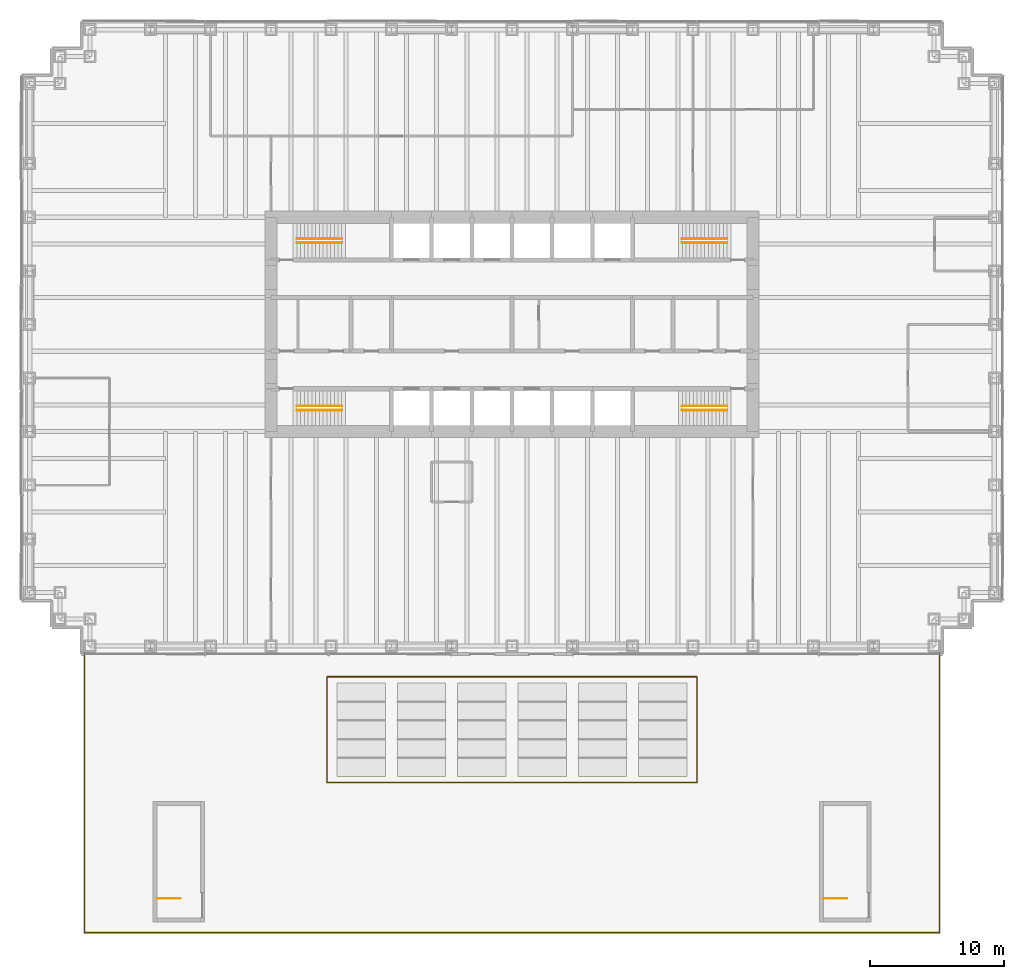
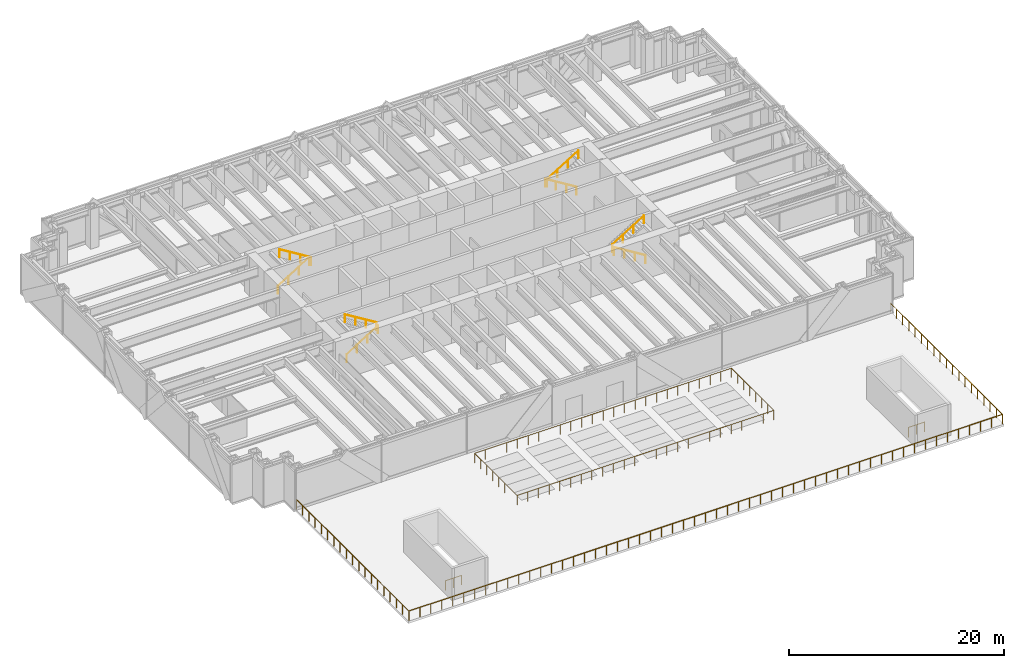
# One storey, part 15 of 15: 12 railings.
"""IFC4 building model written with IfcOpenShell, lengths in metres."""

from ifc_helpers import new_model, si_unit, direction, frame, origin, origin_2d, place, context, subcontext, project, spatial, circle, extrude, material, type_object, element, save


model = new_model("IFC4")

# Units and contexts
model_context = context("Model", 3, precision=1e-05, world=origin(), true_north=direction((0.0, 1.0)))
body_context = subcontext(model_context, "Body", "Model", "MODEL_VIEW")
ifc_project = project(units=[si_unit("LENGTHUNIT", "METRE"), si_unit("AREAUNIT", "SQUARE_METRE"), si_unit("VOLUMEUNIT", "CUBIC_METRE"), si_unit("PLANEANGLEUNIT", "RADIAN"), si_unit("MASSUNIT", "GRAM", prefix="KILO")], contexts=[model_context])

# Site, building, storey
site_placement = place(None, origin())
site = spatial("IfcSite", under=ifc_project, at=site_placement, CompositionType="ELEMENT")
building_placement = place(site_placement, origin())
building = spatial("IfcBuilding", under=site, at=building_placement, Name="Rheinbord Bourse Tower", CompositionType="ELEMENT")
storey_placement = place(building_placement, frame((0.0, 0.0, 23.0)))
storey = spatial("IfcBuildingStorey", under=building, at=storey_placement, Name="L04", CompositionType="ELEMENT", Elevation=23.0)

# Railings
ifc_material_1 = material(Name="Steel and glass guard", Category="steel")
railing_type_1 = type_object("IfcRailingType", Name="GUARD 1100", PredefinedType="GUARDRAIL", material=ifc_material_1)
for number, where, name in (
    (1, (9.5, -18.85009765625, 0.0), "Stair well guard ST5 L04"),
    (2, (59.25, -18.85009765625, 0.0), "Stair well guard ST6 L04"),
):
    element("IfcRailing", number, at=place(storey_placement, frame(where)), inside=storey, type_object=railing_type_1, Name=name, PredefinedType="GUARDRAIL", context=body_context, shape_type="SweptSolid", body=[
        extrude(circle(Radius=0.02392578125, at=origin_2d()), frame((0.0, 0.0, 1.076171875), z_axis=(1.0, 0.0, 0.0), x_axis=(0.0, 1.0, 0.0)), (0.0, 0.0, 1.0), 1.75),
        extrude(circle(Radius=0.02099609375, at=origin_2d()), origin(), (0.0, 0.0, 1.0), 1.052001953125),
        extrude(circle(Radius=0.02099609375, at=origin_2d()), frame((0.875, 0.0, 0.0)), (0.0, 0.0, 1.0), 1.052001953125),
        extrude(circle(Radius=0.02099609375, at=origin_2d()), frame((1.75, 0.0, 0.0)), (0.0, 0.0, 1.0), 1.052001953125),
    ])
ifc_material_2 = material(Name="Steel handrail", Category="steel")
railing_type_2 = type_object("IfcRailingType", Name="HANDRAIL 900", PredefinedType="HANDRAIL", material=ifc_material_2)
railing_1_placement = place(storey_placement, frame((19.949951171875, 17.60009765625, 0.173095703125)))
element("IfcRailing", 3, at=railing_1_placement, inside=storey, type_object=railing_type_2, Name="Handrail", PredefinedType="HANDRAIL", context=body_context, shape_type="SweptSolid", body=[
    extrude(circle(Radius=0.02392578125, at=origin_2d()), frame((0.0, 0.0, 0.8759765625), z_axis=(0.850623216509, 0.0, 0.525775754039), x_axis=(0.0, 1.0, 0.0)), (0.0, 0.0, 1.0), 3.9501953125),
    extrude(circle(Radius=0.02099609375, at=origin_2d()), origin(), (0.0, 0.0, 1.0), 0.851806640625),
    extrude(circle(Radius=0.02099609375, at=origin_2d()), frame((1.1201171875, 0.0, 0.6923828125)), (0.0, 0.0, 1.0), 0.851806640625),
    extrude(circle(Radius=0.02099609375, at=origin_2d()), frame((2.239990234375, 0.0, 1.384521484375)), (0.0, 0.0, 1.0), 0.851806640625),
    extrude(circle(Radius=0.02099609375, at=origin_2d()), frame((3.360107421875, 0.0, 2.076904296875)), (0.0, 0.0, 1.0), 0.851806640625),
])
railing_2_placement = place(storey_placement, frame((23.31005859375, 17.89990234375, 2.423095703125)))
element("IfcRailing", 4, at=railing_2_placement, inside=storey, type_object=railing_type_2, Name="Handrail", PredefinedType="HANDRAIL", context=body_context, shape_type="SweptSolid", body=[
    extrude(circle(Radius=0.02392578125, at=origin_2d()), frame((0.0, 0.0, 0.8759765625), z_axis=(-0.850623216509, 0.0, 0.525775754039), x_axis=(0.0, -1.0, 0.0)), (0.0, 0.0, 1.0), 3.9501953125),
    extrude(circle(Radius=0.02099609375, at=origin_2d()), origin(), (0.0, 0.0, 1.0), 0.851806640625),
    extrude(circle(Radius=0.02099609375, at=origin_2d()), frame((-1.1201171875, 0.0, 0.6923828125)), (0.0, 0.0, 1.0), 0.851806640625),
    extrude(circle(Radius=0.02099609375, at=origin_2d()), frame((-2.239990234375, 0.0, 1.384521484375)), (0.0, 0.0, 1.0), 0.851806640625),
    extrude(circle(Radius=0.02099609375, at=origin_2d()), frame((-3.360107421875, 0.0, 2.076904296875)), (0.0, 0.0, 1.0), 0.851806640625),
])
railing_3_placement = place(storey_placement, frame((19.949951171875, 30.39990234375, 0.173095703125)))
element("IfcRailing", 5, at=railing_3_placement, inside=storey, type_object=railing_type_2, Name="Handrail", PredefinedType="HANDRAIL", context=body_context, shape_type="SweptSolid", body=[
    extrude(circle(Radius=0.02392578125, at=origin_2d()), frame((0.0, 0.0, 0.8759765625), z_axis=(0.850623216509, 0.0, 0.525775754039), x_axis=(0.0, 1.0, 0.0)), (0.0, 0.0, 1.0), 3.9501953125),
    extrude(circle(Radius=0.02099609375, at=origin_2d()), origin(), (0.0, 0.0, 1.0), 0.851806640625),
    extrude(circle(Radius=0.02099609375, at=origin_2d()), frame((1.1201171875, 0.0, 0.6923828125)), (0.0, 0.0, 1.0), 0.851806640625),
    extrude(circle(Radius=0.02099609375, at=origin_2d()), frame((2.239990234375, 0.0, 1.384521484375)), (0.0, 0.0, 1.0), 0.851806640625),
    extrude(circle(Radius=0.02099609375, at=origin_2d()), frame((3.360107421875, 0.0, 2.076904296875)), (0.0, 0.0, 1.0), 0.851806640625),
])
for number, where, name in (
    (6, (23.31005859375, 30.10009765625, 2.423095703125), "Handrail"),
    (7, (52.050048828125, 17.60009765625, 0.173095703125), "Handrail"),
):
    element("IfcRailing", number, at=place(storey_placement, frame(where)), inside=storey, type_object=railing_type_2, Name=name, PredefinedType="HANDRAIL", context=body_context, shape_type="SweptSolid", body=[
        extrude(circle(Radius=0.02392578125, at=origin_2d()), frame((0.0, 0.0, 0.8759765625), z_axis=(-0.850623216509, 0.0, 0.525775754039), x_axis=(0.0, -1.0, 0.0)), (0.0, 0.0, 1.0), 3.9501953125),
        extrude(circle(Radius=0.02099609375, at=origin_2d()), origin(), (0.0, 0.0, 1.0), 0.851806640625),
        extrude(circle(Radius=0.02099609375, at=origin_2d()), frame((-1.1201171875, 0.0, 0.6923828125)), (0.0, 0.0, 1.0), 0.851806640625),
        extrude(circle(Radius=0.02099609375, at=origin_2d()), frame((-2.239990234375, 0.0, 1.384521484375)), (0.0, 0.0, 1.0), 0.851806640625),
        extrude(circle(Radius=0.02099609375, at=origin_2d()), frame((-3.360107421875, 0.0, 2.076904296875)), (0.0, 0.0, 1.0), 0.851806640625),
    ])
railing_4_placement = place(storey_placement, frame((48.68994140625, 17.89990234375, 2.423095703125)))
element("IfcRailing", 8, at=railing_4_placement, inside=storey, type_object=railing_type_2, Name="Handrail", PredefinedType="HANDRAIL", context=body_context, shape_type="SweptSolid", body=[
    extrude(circle(Radius=0.02392578125, at=origin_2d()), frame((0.0, 0.0, 0.8759765625), z_axis=(0.850623216509, 0.0, 0.525775754039), x_axis=(0.0, 1.0, 0.0)), (0.0, 0.0, 1.0), 3.9501953125),
    extrude(circle(Radius=0.02099609375, at=origin_2d()), origin(), (0.0, 0.0, 1.0), 0.851806640625),
    extrude(circle(Radius=0.02099609375, at=origin_2d()), frame((1.1201171875, 0.0, 0.6923828125)), (0.0, 0.0, 1.0), 0.851806640625),
    extrude(circle(Radius=0.02099609375, at=origin_2d()), frame((2.239990234375, 0.0, 1.384521484375)), (0.0, 0.0, 1.0), 0.851806640625),
    extrude(circle(Radius=0.02099609375, at=origin_2d()), frame((3.360107421875, 0.0, 2.076904296875)), (0.0, 0.0, 1.0), 0.851806640625),
])
railing_5_placement = place(storey_placement, frame((52.050048828125, 30.39990234375, 0.173095703125)))
element("IfcRailing", 9, at=railing_5_placement, inside=storey, type_object=railing_type_2, Name="Handrail", PredefinedType="HANDRAIL", context=body_context, shape_type="SweptSolid", body=[
    extrude(circle(Radius=0.02392578125, at=origin_2d()), frame((0.0, 0.0, 0.8759765625), z_axis=(-0.850623216509, 0.0, 0.525775754039), x_axis=(0.0, -1.0, 0.0)), (0.0, 0.0, 1.0), 3.9501953125),
    extrude(circle(Radius=0.02099609375, at=origin_2d()), origin(), (0.0, 0.0, 1.0), 0.851806640625),
    extrude(circle(Radius=0.02099609375, at=origin_2d()), frame((-1.1201171875, 0.0, 0.6923828125)), (0.0, 0.0, 1.0), 0.851806640625),
    extrude(circle(Radius=0.02099609375, at=origin_2d()), frame((-2.239990234375, 0.0, 1.384521484375)), (0.0, 0.0, 1.0), 0.851806640625),
    extrude(circle(Radius=0.02099609375, at=origin_2d()), frame((-3.360107421875, 0.0, 2.076904296875)), (0.0, 0.0, 1.0), 0.851806640625),
])
railing_6_placement = place(storey_placement, frame((48.68994140625, 30.10009765625, 2.423095703125)))
element("IfcRailing", 10, at=railing_6_placement, inside=storey, type_object=railing_type_2, Name="Handrail", PredefinedType="HANDRAIL", context=body_context, shape_type="SweptSolid", body=[
    extrude(circle(Radius=0.02392578125, at=origin_2d()), frame((0.0, 0.0, 0.8759765625), z_axis=(0.850623216509, 0.0, 0.525775754039), x_axis=(0.0, 1.0, 0.0)), (0.0, 0.0, 1.0), 3.9501953125),
    extrude(circle(Radius=0.02099609375, at=origin_2d()), origin(), (0.0, 0.0, 1.0), 0.851806640625),
    extrude(circle(Radius=0.02099609375, at=origin_2d()), frame((1.1201171875, 0.0, 0.6923828125)), (0.0, 0.0, 1.0), 0.851806640625),
    extrude(circle(Radius=0.02099609375, at=origin_2d()), frame((2.239990234375, 0.0, 1.384521484375)), (0.0, 0.0, 1.0), 0.851806640625),
    extrude(circle(Radius=0.02099609375, at=origin_2d()), frame((3.360107421875, 0.0, 2.076904296875)), (0.0, 0.0, 1.0), 0.851806640625),
])
ifc_material_3 = material(Name="Black steel guard", Category="steel")
railing_type_3 = type_object("IfcRailingType", Name="ROOF GUARD 1100", PredefinedType="GUARDRAIL", material=ifc_material_3)
railing_7_placement = place(storey_placement, frame((4.10009765625, -0.5, 0.0)))
element("IfcRailing", 11, at=railing_7_placement, inside=storey, type_object=railing_type_3, Name="Terrace guard", PredefinedType="GUARDRAIL", context=body_context, shape_type="SweptSolid", body=[
    extrude(circle(Radius=0.02392578125, at=origin_2d()), frame((0.0, 0.0, 1.076171875), z_axis=(0.0, -1.0, 0.0), x_axis=(1.0, 0.0, 0.0)), (0.0, 0.0, 1.0), 20.89990234375),
    extrude(circle(Radius=0.02392578125, at=origin_2d()), frame((0.0, -20.89990234375, 1.076171875), z_axis=(1.0, 0.0, 0.0), x_axis=(0.0, 1.0, 0.0)), (0.0, 0.0, 1.0), 63.7998046875),
    extrude(circle(Radius=0.02392578125, at=origin_2d()), frame((63.7998046875, -20.89990234375, 1.076171875), z_axis=(0.0, 1.0, 0.0), x_axis=(-1.0, 0.0, 0.0)), (0.0, 0.0, 1.0), 20.89990234375),
    extrude(circle(Radius=0.02099609375, at=origin_2d()), origin(), (0.0, 0.0, 1.0), 1.052001953125),
    extrude(circle(Radius=0.02099609375, at=origin_2d()), frame((0.0, -1.1611328125, 0.0)), (0.0, 0.0, 1.0), 1.052001953125),
    extrude(circle(Radius=0.02099609375, at=origin_2d()), frame((0.0, -2.322265625, 0.0)), (0.0, 0.0, 1.0), 1.052001953125),
    extrude(circle(Radius=0.02099609375, at=origin_2d()), frame((0.0, -3.4833984375, 0.0)), (0.0, 0.0, 1.0), 1.052001953125),
    extrude(circle(Radius=0.02099609375, at=origin_2d()), frame((0.0, -4.64453125, 0.0)), (0.0, 0.0, 1.0), 1.052001953125),
    extrude(circle(Radius=0.02099609375, at=origin_2d()), frame((0.0, -5.805419921875, 0.0)), (0.0, 0.0, 1.0), 1.052001953125),
    extrude(circle(Radius=0.02099609375, at=origin_2d()), frame((0.0, -6.966552734375, 0.0)), (0.0, 0.0, 1.0), 1.052001953125),
    extrude(circle(Radius=0.02099609375, at=origin_2d()), frame((0.0, -8.127685546875, 0.0)), (0.0, 0.0, 1.0), 1.052001953125),
    extrude(circle(Radius=0.02099609375, at=origin_2d()), frame((0.0, -9.288818359375, 0.0)), (0.0, 0.0, 1.0), 1.052001953125),
    extrude(circle(Radius=0.02099609375, at=origin_2d()), frame((0.0, -10.449951171875, 0.0)), (0.0, 0.0, 1.0), 1.052001953125),
    extrude(circle(Radius=0.02099609375, at=origin_2d()), frame((0.0, -11.611083984375, 0.0)), (0.0, 0.0, 1.0), 1.052001953125),
    extrude(circle(Radius=0.02099609375, at=origin_2d()), frame((0.0, -12.772216796875, 0.0)), (0.0, 0.0, 1.0), 1.052001953125),
    extrude(circle(Radius=0.02099609375, at=origin_2d()), frame((0.0, -13.933349609375, 0.0)), (0.0, 0.0, 1.0), 1.052001953125),
    extrude(circle(Radius=0.02099609375, at=origin_2d()), frame((0.0, -15.094482421875, 0.0)), (0.0, 0.0, 1.0), 1.052001953125),
    extrude(circle(Radius=0.02099609375, at=origin_2d()), frame((0.0, -16.25537109375, 0.0)), (0.0, 0.0, 1.0), 1.052001953125),
    extrude(circle(Radius=0.02099609375, at=origin_2d()), frame((0.0, -17.41650390625, 0.0)), (0.0, 0.0, 1.0), 1.052001953125),
    extrude(circle(Radius=0.02099609375, at=origin_2d()), frame((0.0, -18.57763671875, 0.0)), (0.0, 0.0, 1.0), 1.052001953125),
    extrude(circle(Radius=0.02099609375, at=origin_2d()), frame((0.0, -19.73876953125, 0.0)), (0.0, 0.0, 1.0), 1.052001953125),
    extrude(circle(Radius=0.02099609375, at=origin_2d()), frame((0.0, -20.89990234375, 0.0)), (0.0, 0.0, 1.0), 1.052001953125),
    extrude(circle(Radius=0.02099609375, at=origin_2d()), frame((1.181396484375, -20.89990234375, 0.0)), (0.0, 0.0, 1.0), 1.052001953125),
    extrude(circle(Radius=0.02099609375, at=origin_2d()), frame((2.363037109375, -20.89990234375, 0.0)), (0.0, 0.0, 1.0), 1.052001953125),
    extrude(circle(Radius=0.02099609375, at=origin_2d()), frame((3.54443359375, -20.89990234375, 0.0)), (0.0, 0.0, 1.0), 1.052001953125),
    extrude(circle(Radius=0.02099609375, at=origin_2d()), frame((4.725830078125, -20.89990234375, 0.0)), (0.0, 0.0, 1.0), 1.052001953125),
    extrude(circle(Radius=0.02099609375, at=origin_2d()), frame((5.907470703125, -20.89990234375, 0.0)), (0.0, 0.0, 1.0), 1.052001953125),
    extrude(circle(Radius=0.02099609375, at=origin_2d()), frame((7.0888671875, -20.89990234375, 0.0)), (0.0, 0.0, 1.0), 1.052001953125),
    extrude(circle(Radius=0.02099609375, at=origin_2d()), frame((8.270263671875, -20.89990234375, 0.0)), (0.0, 0.0, 1.0), 1.052001953125),
    extrude(circle(Radius=0.02099609375, at=origin_2d()), frame((9.451904296875, -20.89990234375, 0.0)), (0.0, 0.0, 1.0), 1.052001953125),
    extrude(circle(Radius=0.02099609375, at=origin_2d()), frame((10.63330078125, -20.89990234375, 0.0)), (0.0, 0.0, 1.0), 1.052001953125),
    extrude(circle(Radius=0.02099609375, at=origin_2d()), frame((11.814697265625, -20.89990234375, 0.0)), (0.0, 0.0, 1.0), 1.052001953125),
    extrude(circle(Radius=0.02099609375, at=origin_2d()), frame((12.996337890625, -20.89990234375, 0.0)), (0.0, 0.0, 1.0), 1.052001953125),
    extrude(circle(Radius=0.02099609375, at=origin_2d()), frame((14.177734375, -20.89990234375, 0.0)), (0.0, 0.0, 1.0), 1.052001953125),
    extrude(circle(Radius=0.02099609375, at=origin_2d()), frame((15.359130859375, -20.89990234375, 0.0)), (0.0, 0.0, 1.0), 1.052001953125),
    extrude(circle(Radius=0.02099609375, at=origin_2d()), frame((16.540771484375, -20.89990234375, 0.0)), (0.0, 0.0, 1.0), 1.052001953125),
    extrude(circle(Radius=0.02099609375, at=origin_2d()), frame((17.72216796875, -20.89990234375, 0.0)), (0.0, 0.0, 1.0), 1.052001953125),
    extrude(circle(Radius=0.02099609375, at=origin_2d()), frame((18.903564453125, -20.89990234375, 0.0)), (0.0, 0.0, 1.0), 1.052001953125),
    extrude(circle(Radius=0.02099609375, at=origin_2d()), frame((20.085205078125, -20.89990234375, 0.0)), (0.0, 0.0, 1.0), 1.052001953125),
    extrude(circle(Radius=0.02099609375, at=origin_2d()), frame((21.2666015625, -20.89990234375, 0.0)), (0.0, 0.0, 1.0), 1.052001953125),
    extrude(circle(Radius=0.02099609375, at=origin_2d()), frame((22.447998046875, -20.89990234375, 0.0)), (0.0, 0.0, 1.0), 1.052001953125),
    extrude(circle(Radius=0.02099609375, at=origin_2d()), frame((23.629638671875, -20.89990234375, 0.0)), (0.0, 0.0, 1.0), 1.052001953125),
    extrude(circle(Radius=0.02099609375, at=origin_2d()), frame((24.81103515625, -20.89990234375, 0.0)), (0.0, 0.0, 1.0), 1.052001953125),
    extrude(circle(Radius=0.02099609375, at=origin_2d()), frame((25.992431640625, -20.89990234375, 0.0)), (0.0, 0.0, 1.0), 1.052001953125),
    extrude(circle(Radius=0.02099609375, at=origin_2d()), frame((27.174072265625, -20.89990234375, 0.0)), (0.0, 0.0, 1.0), 1.052001953125),
    extrude(circle(Radius=0.02099609375, at=origin_2d()), frame((28.35546875, -20.89990234375, 0.0)), (0.0, 0.0, 1.0), 1.052001953125),
    extrude(circle(Radius=0.02099609375, at=origin_2d()), frame((29.536865234375, -20.89990234375, 0.0)), (0.0, 0.0, 1.0), 1.052001953125),
    extrude(circle(Radius=0.02099609375, at=origin_2d()), frame((30.718505859375, -20.89990234375, 0.0)), (0.0, 0.0, 1.0), 1.052001953125),
    extrude(circle(Radius=0.02099609375, at=origin_2d()), frame((31.89990234375, -20.89990234375, 0.0)), (0.0, 0.0, 1.0), 1.052001953125),
    extrude(circle(Radius=0.02099609375, at=origin_2d()), frame((33.081298828125, -20.89990234375, 0.0)), (0.0, 0.0, 1.0), 1.052001953125),
    extrude(circle(Radius=0.02099609375, at=origin_2d()), frame((34.262939453125, -20.89990234375, 0.0)), (0.0, 0.0, 1.0), 1.052001953125),
    extrude(circle(Radius=0.02099609375, at=origin_2d()), frame((35.4443359375, -20.89990234375, 0.0)), (0.0, 0.0, 1.0), 1.052001953125),
    extrude(circle(Radius=0.02099609375, at=origin_2d()), frame((36.625732421875, -20.89990234375, 0.0)), (0.0, 0.0, 1.0), 1.052001953125),
    extrude(circle(Radius=0.02099609375, at=origin_2d()), frame((37.807373046875, -20.89990234375, 0.0)), (0.0, 0.0, 1.0), 1.052001953125),
    extrude(circle(Radius=0.02099609375, at=origin_2d()), frame((38.98876953125, -20.89990234375, 0.0)), (0.0, 0.0, 1.0), 1.052001953125),
    extrude(circle(Radius=0.02099609375, at=origin_2d()), frame((40.170166015625, -20.89990234375, 0.0)), (0.0, 0.0, 1.0), 1.052001953125),
    extrude(circle(Radius=0.02099609375, at=origin_2d()), frame((41.351806640625, -20.89990234375, 0.0)), (0.0, 0.0, 1.0), 1.052001953125),
    extrude(circle(Radius=0.02099609375, at=origin_2d()), frame((42.533203125, -20.89990234375, 0.0)), (0.0, 0.0, 1.0), 1.052001953125),
    extrude(circle(Radius=0.02099609375, at=origin_2d()), frame((43.714599609375, -20.89990234375, 0.0)), (0.0, 0.0, 1.0), 1.052001953125),
    extrude(circle(Radius=0.02099609375, at=origin_2d()), frame((44.896240234375, -20.89990234375, 0.0)), (0.0, 0.0, 1.0), 1.052001953125),
    extrude(circle(Radius=0.02099609375, at=origin_2d()), frame((46.07763671875, -20.89990234375, 0.0)), (0.0, 0.0, 1.0), 1.052001953125),
    extrude(circle(Radius=0.02099609375, at=origin_2d()), frame((47.259033203125, -20.89990234375, 0.0)), (0.0, 0.0, 1.0), 1.052001953125),
    extrude(circle(Radius=0.02099609375, at=origin_2d()), frame((48.440673828125, -20.89990234375, 0.0)), (0.0, 0.0, 1.0), 1.052001953125),
    extrude(circle(Radius=0.02099609375, at=origin_2d()), frame((49.6220703125, -20.89990234375, 0.0)), (0.0, 0.0, 1.0), 1.052001953125),
    extrude(circle(Radius=0.02099609375, at=origin_2d()), frame((50.803466796875, -20.89990234375, 0.0)), (0.0, 0.0, 1.0), 1.052001953125),
    extrude(circle(Radius=0.02099609375, at=origin_2d()), frame((51.985107421875, -20.89990234375, 0.0)), (0.0, 0.0, 1.0), 1.052001953125),
    extrude(circle(Radius=0.02099609375, at=origin_2d()), frame((53.16650390625, -20.89990234375, 0.0)), (0.0, 0.0, 1.0), 1.052001953125),
    extrude(circle(Radius=0.02099609375, at=origin_2d()), frame((54.347900390625, -20.89990234375, 0.0)), (0.0, 0.0, 1.0), 1.052001953125),
    extrude(circle(Radius=0.02099609375, at=origin_2d()), frame((55.529541015625, -20.89990234375, 0.0)), (0.0, 0.0, 1.0), 1.052001953125),
    extrude(circle(Radius=0.02099609375, at=origin_2d()), frame((56.7109375, -20.89990234375, 0.0)), (0.0, 0.0, 1.0), 1.052001953125),
    extrude(circle(Radius=0.02099609375, at=origin_2d()), frame((57.892333984375, -20.89990234375, 0.0)), (0.0, 0.0, 1.0), 1.052001953125),
    extrude(circle(Radius=0.02099609375, at=origin_2d()), frame((59.073974609375, -20.89990234375, 0.0)), (0.0, 0.0, 1.0), 1.052001953125),
    extrude(circle(Radius=0.02099609375, at=origin_2d()), frame((60.25537109375, -20.89990234375, 0.0)), (0.0, 0.0, 1.0), 1.052001953125),
    extrude(circle(Radius=0.02099609375, at=origin_2d()), frame((61.436767578125, -20.89990234375, 0.0)), (0.0, 0.0, 1.0), 1.052001953125),
    extrude(circle(Radius=0.02099609375, at=origin_2d()), frame((62.618408203125, -20.89990234375, 0.0)), (0.0, 0.0, 1.0), 1.052001953125),
    extrude(circle(Radius=0.02099609375, at=origin_2d()), frame((63.7998046875, -20.89990234375, 0.0)), (0.0, 0.0, 1.0), 1.052001953125),
    extrude(circle(Radius=0.02099609375, at=origin_2d()), frame((63.7998046875, -19.73876953125, 0.0)), (0.0, 0.0, 1.0), 1.052001953125),
    extrude(circle(Radius=0.02099609375, at=origin_2d()), frame((63.7998046875, -18.57763671875, 0.0)), (0.0, 0.0, 1.0), 1.052001953125),
    extrude(circle(Radius=0.02099609375, at=origin_2d()), frame((63.7998046875, -17.41650390625, 0.0)), (0.0, 0.0, 1.0), 1.052001953125),
    extrude(circle(Radius=0.02099609375, at=origin_2d()), frame((63.7998046875, -16.25537109375, 0.0)), (0.0, 0.0, 1.0), 1.052001953125),
    extrude(circle(Radius=0.02099609375, at=origin_2d()), frame((63.7998046875, -15.094482421875, 0.0)), (0.0, 0.0, 1.0), 1.052001953125),
    extrude(circle(Radius=0.02099609375, at=origin_2d()), frame((63.7998046875, -13.933349609375, 0.0)), (0.0, 0.0, 1.0), 1.052001953125),
    extrude(circle(Radius=0.02099609375, at=origin_2d()), frame((63.7998046875, -12.772216796875, 0.0)), (0.0, 0.0, 1.0), 1.052001953125),
    extrude(circle(Radius=0.02099609375, at=origin_2d()), frame((63.7998046875, -11.611083984375, 0.0)), (0.0, 0.0, 1.0), 1.052001953125),
    extrude(circle(Radius=0.02099609375, at=origin_2d()), frame((63.7998046875, -10.449951171875, 0.0)), (0.0, 0.0, 1.0), 1.052001953125),
    extrude(circle(Radius=0.02099609375, at=origin_2d()), frame((63.7998046875, -9.288818359375, 0.0)), (0.0, 0.0, 1.0), 1.052001953125),
    extrude(circle(Radius=0.02099609375, at=origin_2d()), frame((63.7998046875, -8.127685546875, 0.0)), (0.0, 0.0, 1.0), 1.052001953125),
    extrude(circle(Radius=0.02099609375, at=origin_2d()), frame((63.7998046875, -6.966552734375, 0.0)), (0.0, 0.0, 1.0), 1.052001953125),
    extrude(circle(Radius=0.02099609375, at=origin_2d()), frame((63.7998046875, -5.805419921875, 0.0)), (0.0, 0.0, 1.0), 1.052001953125),
    extrude(circle(Radius=0.02099609375, at=origin_2d()), frame((63.7998046875, -4.64453125, 0.0)), (0.0, 0.0, 1.0), 1.052001953125),
    extrude(circle(Radius=0.02099609375, at=origin_2d()), frame((63.7998046875, -3.4833984375, 0.0)), (0.0, 0.0, 1.0), 1.052001953125),
    extrude(circle(Radius=0.02099609375, at=origin_2d()), frame((63.7998046875, -2.322265625, 0.0)), (0.0, 0.0, 1.0), 1.052001953125),
    extrude(circle(Radius=0.02099609375, at=origin_2d()), frame((63.7998046875, -1.1611328125, 0.0)), (0.0, 0.0, 1.0), 1.052001953125),
    extrude(circle(Radius=0.02099609375, at=origin_2d()), frame((63.7998046875, 0.0, 0.0)), (0.0, 0.0, 1.0), 1.052001953125),
])
railing_8_placement = place(storey_placement, frame((22.199951171875, -2.300048828125, 0.0)))
element("IfcRailing", 12, at=railing_8_placement, inside=storey, type_object=railing_type_3, Name="Skylight guard", PredefinedType="GUARDRAIL", context=body_context, shape_type="SweptSolid", body=[
    extrude(circle(Radius=0.02392578125, at=origin_2d()), frame((0.0, 0.0, 1.076171875), z_axis=(0.0, -1.0, 0.0), x_axis=(1.0, 0.0, 0.0)), (0.0, 0.0, 1.0), 7.89990234375),
    extrude(circle(Radius=0.02392578125, at=origin_2d()), frame((0.0, -7.89990234375, 1.076171875), z_axis=(1.0, 0.0, 0.0), x_axis=(0.0, 1.0, 0.0)), (0.0, 0.0, 1.0), 27.60009765625),
    extrude(circle(Radius=0.02392578125, at=origin_2d()), frame((27.60009765625, -7.89990234375, 1.076171875), z_axis=(0.0, 1.0, 0.0), x_axis=(-1.0, 0.0, 0.0)), (0.0, 0.0, 1.0), 7.89990234375),
    extrude(circle(Radius=0.02392578125, at=origin_2d()), frame((27.60009765625, 0.0, 1.076171875), z_axis=(-1.0, 0.0, 0.0), x_axis=(0.0, -1.0, 0.0)), (0.0, 0.0, 1.0), 27.60009765625),
    extrude(circle(Radius=0.02099609375, at=origin_2d()), origin(), (0.0, 0.0, 1.0), 1.052001953125),
    extrude(circle(Radius=0.02099609375, at=origin_2d()), frame((0.0, -1.128662109375, 0.0)), (0.0, 0.0, 1.0), 1.052001953125),
    extrude(circle(Radius=0.02099609375, at=origin_2d()), frame((0.0, -2.257080078125, 0.0)), (0.0, 0.0, 1.0), 1.052001953125),
    extrude(circle(Radius=0.02099609375, at=origin_2d()), frame((0.0, -3.3857421875, 0.0)), (0.0, 0.0, 1.0), 1.052001953125),
    extrude(circle(Radius=0.02099609375, at=origin_2d()), frame((0.0, -4.51416015625, 0.0)), (0.0, 0.0, 1.0), 1.052001953125),
    extrude(circle(Radius=0.02099609375, at=origin_2d()), frame((0.0, -5.642822265625, 0.0)), (0.0, 0.0, 1.0), 1.052001953125),
    extrude(circle(Radius=0.02099609375, at=origin_2d()), frame((0.0, -6.771240234375, 0.0)), (0.0, 0.0, 1.0), 1.052001953125),
    extrude(circle(Radius=0.02099609375, at=origin_2d()), frame((0.0, -7.89990234375, 0.0)), (0.0, 0.0, 1.0), 1.052001953125),
    extrude(circle(Radius=0.02099609375, at=origin_2d()), frame((1.14990234375, -7.89990234375, 0.0)), (0.0, 0.0, 1.0), 1.052001953125),
    extrude(circle(Radius=0.02099609375, at=origin_2d()), frame((2.300048828125, -7.89990234375, 0.0)), (0.0, 0.0, 1.0), 1.052001953125),
    extrude(circle(Radius=0.02099609375, at=origin_2d()), frame((3.449951171875, -7.89990234375, 0.0)), (0.0, 0.0, 1.0), 1.052001953125),
    extrude(circle(Radius=0.02099609375, at=origin_2d()), frame((4.60009765625, -7.89990234375, 0.0)), (0.0, 0.0, 1.0), 1.052001953125),
    extrude(circle(Radius=0.02099609375, at=origin_2d()), frame((5.75, -7.89990234375, 0.0)), (0.0, 0.0, 1.0), 1.052001953125),
    extrude(circle(Radius=0.02099609375, at=origin_2d()), frame((6.89990234375, -7.89990234375, 0.0)), (0.0, 0.0, 1.0), 1.052001953125),
    extrude(circle(Radius=0.02099609375, at=origin_2d()), frame((8.050048828125, -7.89990234375, 0.0)), (0.0, 0.0, 1.0), 1.052001953125),
    extrude(circle(Radius=0.02099609375, at=origin_2d()), frame((9.199951171875, -7.89990234375, 0.0)), (0.0, 0.0, 1.0), 1.052001953125),
    extrude(circle(Radius=0.02099609375, at=origin_2d()), frame((10.35009765625, -7.89990234375, 0.0)), (0.0, 0.0, 1.0), 1.052001953125),
    extrude(circle(Radius=0.02099609375, at=origin_2d()), frame((11.5, -7.89990234375, 0.0)), (0.0, 0.0, 1.0), 1.052001953125),
    extrude(circle(Radius=0.02099609375, at=origin_2d()), frame((12.650146484375, -7.89990234375, 0.0)), (0.0, 0.0, 1.0), 1.052001953125),
    extrude(circle(Radius=0.02099609375, at=origin_2d()), frame((13.800048828125, -7.89990234375, 0.0)), (0.0, 0.0, 1.0), 1.052001953125),
    extrude(circle(Radius=0.02099609375, at=origin_2d()), frame((14.949951171875, -7.89990234375, 0.0)), (0.0, 0.0, 1.0), 1.052001953125),
    extrude(circle(Radius=0.02099609375, at=origin_2d()), frame((16.10009765625, -7.89990234375, 0.0)), (0.0, 0.0, 1.0), 1.052001953125),
    extrude(circle(Radius=0.02099609375, at=origin_2d()), frame((17.25, -7.89990234375, 0.0)), (0.0, 0.0, 1.0), 1.052001953125),
    extrude(circle(Radius=0.02099609375, at=origin_2d()), frame((18.400146484375, -7.89990234375, 0.0)), (0.0, 0.0, 1.0), 1.052001953125),
    extrude(circle(Radius=0.02099609375, at=origin_2d()), frame((19.550048828125, -7.89990234375, 0.0)), (0.0, 0.0, 1.0), 1.052001953125),
    extrude(circle(Radius=0.02099609375, at=origin_2d()), frame((20.7001953125, -7.89990234375, 0.0)), (0.0, 0.0, 1.0), 1.052001953125),
    extrude(circle(Radius=0.02099609375, at=origin_2d()), frame((21.85009765625, -7.89990234375, 0.0)), (0.0, 0.0, 1.0), 1.052001953125),
    extrude(circle(Radius=0.02099609375, at=origin_2d()), frame((23.0, -7.89990234375, 0.0)), (0.0, 0.0, 1.0), 1.052001953125),
    extrude(circle(Radius=0.02099609375, at=origin_2d()), frame((24.150146484375, -7.89990234375, 0.0)), (0.0, 0.0, 1.0), 1.052001953125),
    extrude(circle(Radius=0.02099609375, at=origin_2d()), frame((25.300048828125, -7.89990234375, 0.0)), (0.0, 0.0, 1.0), 1.052001953125),
    extrude(circle(Radius=0.02099609375, at=origin_2d()), frame((26.4501953125, -7.89990234375, 0.0)), (0.0, 0.0, 1.0), 1.052001953125),
    extrude(circle(Radius=0.02099609375, at=origin_2d()), frame((27.60009765625, -7.89990234375, 0.0)), (0.0, 0.0, 1.0), 1.052001953125),
    extrude(circle(Radius=0.02099609375, at=origin_2d()), frame((27.60009765625, -6.771240234375, 0.0)), (0.0, 0.0, 1.0), 1.052001953125),
    extrude(circle(Radius=0.02099609375, at=origin_2d()), frame((27.60009765625, -5.642822265625, 0.0)), (0.0, 0.0, 1.0), 1.052001953125),
    extrude(circle(Radius=0.02099609375, at=origin_2d()), frame((27.60009765625, -4.51416015625, 0.0)), (0.0, 0.0, 1.0), 1.052001953125),
    extrude(circle(Radius=0.02099609375, at=origin_2d()), frame((27.60009765625, -3.3857421875, 0.0)), (0.0, 0.0, 1.0), 1.052001953125),
    extrude(circle(Radius=0.02099609375, at=origin_2d()), frame((27.60009765625, -2.257080078125, 0.0)), (0.0, 0.0, 1.0), 1.052001953125),
    extrude(circle(Radius=0.02099609375, at=origin_2d()), frame((27.60009765625, -1.128662109375, 0.0)), (0.0, 0.0, 1.0), 1.052001953125),
    extrude(circle(Radius=0.02099609375, at=origin_2d()), frame((27.60009765625, 0.0, 0.0)), (0.0, 0.0, 1.0), 1.052001953125),
    extrude(circle(Radius=0.02099609375, at=origin_2d()), frame((26.4501953125, 0.0, 0.0)), (0.0, 0.0, 1.0), 1.052001953125),
    extrude(circle(Radius=0.02099609375, at=origin_2d()), frame((25.300048828125, 0.0, 0.0)), (0.0, 0.0, 1.0), 1.052001953125),
    extrude(circle(Radius=0.02099609375, at=origin_2d()), frame((24.150146484375, 0.0, 0.0)), (0.0, 0.0, 1.0), 1.052001953125),
    extrude(circle(Radius=0.02099609375, at=origin_2d()), frame((23.0, 0.0, 0.0)), (0.0, 0.0, 1.0), 1.052001953125),
    extrude(circle(Radius=0.02099609375, at=origin_2d()), frame((21.85009765625, 0.0, 0.0)), (0.0, 0.0, 1.0), 1.052001953125),
    extrude(circle(Radius=0.02099609375, at=origin_2d()), frame((20.7001953125, 0.0, 0.0)), (0.0, 0.0, 1.0), 1.052001953125),
    extrude(circle(Radius=0.02099609375, at=origin_2d()), frame((19.550048828125, 0.0, 0.0)), (0.0, 0.0, 1.0), 1.052001953125),
    extrude(circle(Radius=0.02099609375, at=origin_2d()), frame((18.400146484375, 0.0, 0.0)), (0.0, 0.0, 1.0), 1.052001953125),
    extrude(circle(Radius=0.02099609375, at=origin_2d()), frame((17.25, 0.0, 0.0)), (0.0, 0.0, 1.0), 1.052001953125),
    extrude(circle(Radius=0.02099609375, at=origin_2d()), frame((16.10009765625, 0.0, 0.0)), (0.0, 0.0, 1.0), 1.052001953125),
    extrude(circle(Radius=0.02099609375, at=origin_2d()), frame((14.949951171875, 0.0, 0.0)), (0.0, 0.0, 1.0), 1.052001953125),
    extrude(circle(Radius=0.02099609375, at=origin_2d()), frame((13.800048828125, 0.0, 0.0)), (0.0, 0.0, 1.0), 1.052001953125),
    extrude(circle(Radius=0.02099609375, at=origin_2d()), frame((12.650146484375, 0.0, 0.0)), (0.0, 0.0, 1.0), 1.052001953125),
    extrude(circle(Radius=0.02099609375, at=origin_2d()), frame((11.5, 0.0, 0.0)), (0.0, 0.0, 1.0), 1.052001953125),
    extrude(circle(Radius=0.02099609375, at=origin_2d()), frame((10.35009765625, 0.0, 0.0)), (0.0, 0.0, 1.0), 1.052001953125),
    extrude(circle(Radius=0.02099609375, at=origin_2d()), frame((9.199951171875, 0.0, 0.0)), (0.0, 0.0, 1.0), 1.052001953125),
    extrude(circle(Radius=0.02099609375, at=origin_2d()), frame((8.050048828125, 0.0, 0.0)), (0.0, 0.0, 1.0), 1.052001953125),
    extrude(circle(Radius=0.02099609375, at=origin_2d()), frame((6.89990234375, 0.0, 0.0)), (0.0, 0.0, 1.0), 1.052001953125),
    extrude(circle(Radius=0.02099609375, at=origin_2d()), frame((5.75, 0.0, 0.0)), (0.0, 0.0, 1.0), 1.052001953125),
    extrude(circle(Radius=0.02099609375, at=origin_2d()), frame((4.60009765625, 0.0, 0.0)), (0.0, 0.0, 1.0), 1.052001953125),
    extrude(circle(Radius=0.02099609375, at=origin_2d()), frame((3.449951171875, 0.0, 0.0)), (0.0, 0.0, 1.0), 1.052001953125),
    extrude(circle(Radius=0.02099609375, at=origin_2d()), frame((2.300048828125, 0.0, 0.0)), (0.0, 0.0, 1.0), 1.052001953125),
    extrude(circle(Radius=0.02099609375, at=origin_2d()), frame((1.14990234375, 0.0, 0.0)), (0.0, 0.0, 1.0), 1.052001953125),
])

save(model, "model.ifc")
